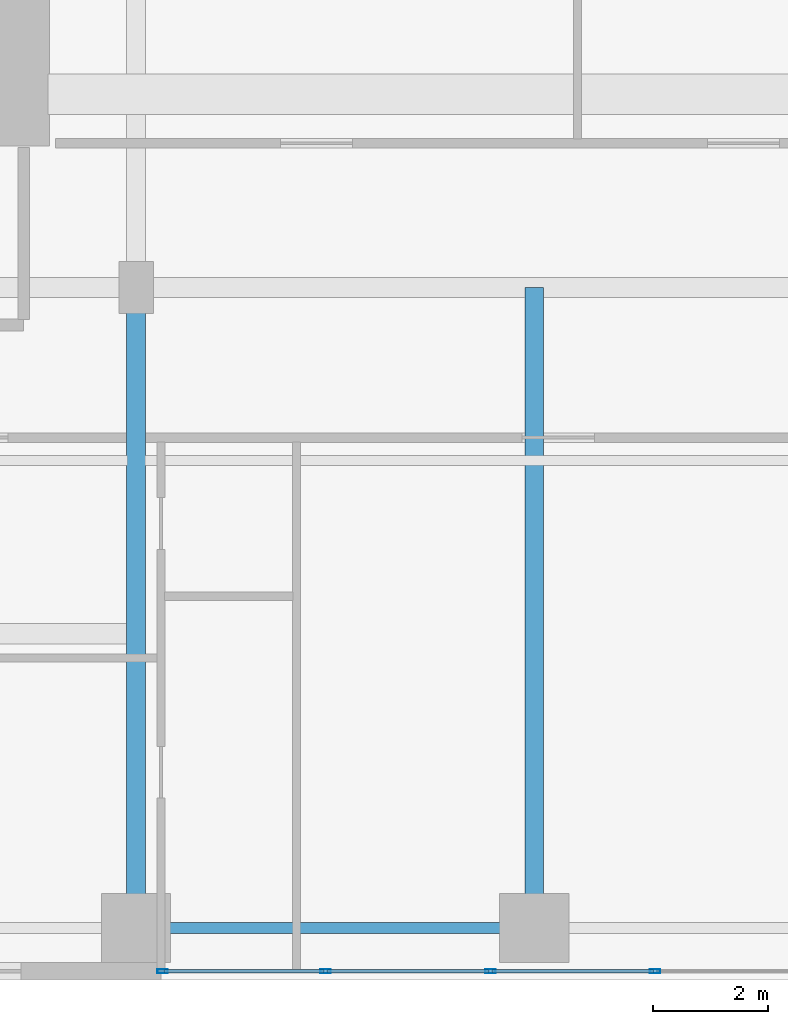
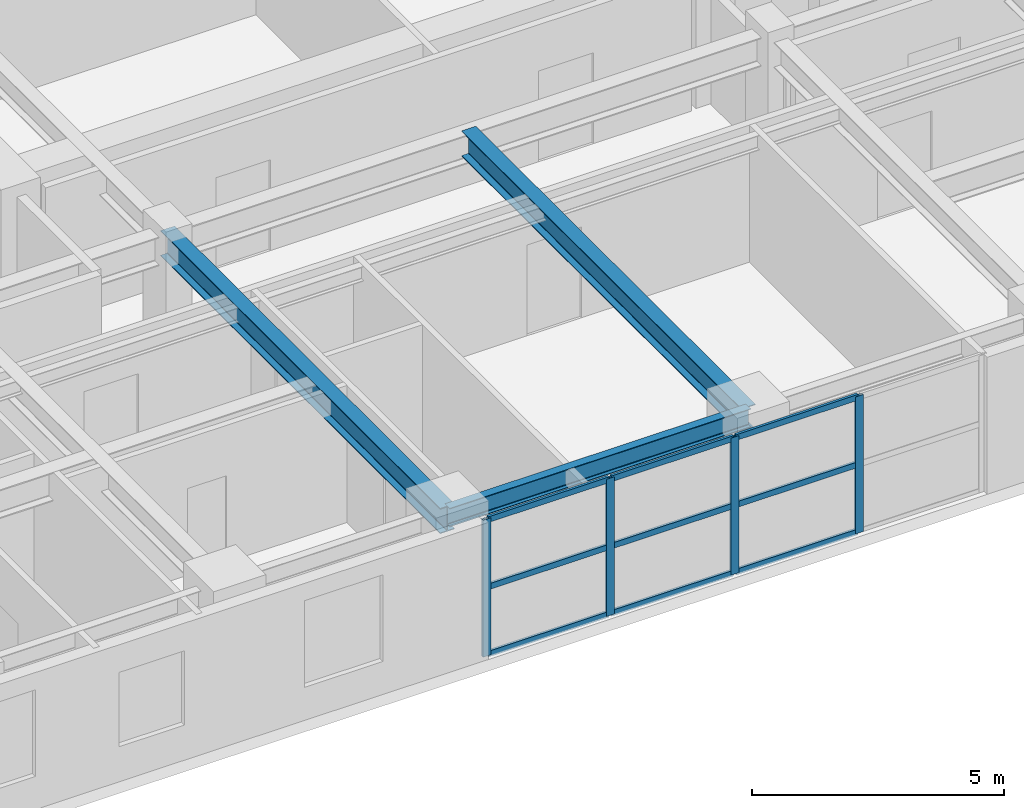
# One storey, part 2 of 24: 13 members, 3 beams, 1 element without a shape of its own.
"""IFC4 building model written with IfcOpenShell, lengths in metres."""

from ifc_helpers import new_model, si_unit, direction, frame, origin, origin_2d, place, context, subcontext, project, spatial, hollow_rectangle, i_section, extrude, source, transform, mapped, material, layer, layer_set, material_profile, profile_set, type_object, element, aggregate, save


model = new_model("IFC4")

# Units and contexts
model_context = context("Model", 3, precision=1e-05, world=origin(), true_north=direction((0.0, 1.0)))
body_context = subcontext(model_context, "Body", "Model", "MODEL_VIEW")
ifc_project = project(units=[si_unit("LENGTHUNIT", "METRE"), si_unit("AREAUNIT", "SQUARE_METRE"), si_unit("VOLUMEUNIT", "CUBIC_METRE"), si_unit("PLANEANGLEUNIT", "RADIAN"), si_unit("MASSUNIT", "GRAM", prefix="KILO")], contexts=[model_context])

# Site, building, storey
site_placement = place(None, origin())
site = spatial("IfcSite", under=ifc_project, at=site_placement, CompositionType="ELEMENT")
building_placement = place(site_placement, origin())
building = spatial("IfcBuilding", under=site, at=building_placement, Name="Khoralis Quay Care Tower", CompositionType="ELEMENT")
storey_placement = place(building_placement, frame((0.0, 0.0, 62.10009765625)))
storey = spatial("IfcBuildingStorey", under=building, at=storey_placement, Name="L16", CompositionType="ELEMENT", Elevation=62.10009765625)

# Beams
ifc_material_1 = material(Name="Steel S355", Category="steel")
ifc_material_profile_1 = material_profile(ifc_material_1, i_section(OverallWidth=0.18994140625, OverallDepth=0.449951171875, WebThickness=0.009521484375, FlangeThickness=0.0146484375, FilletRadius=0.02099609375, at=origin_2d()), Name="Steel S355")
ifc_profile_set_1 = profile_set([ifc_material_profile_1], Name="Steel S355")
beam_type_1 = type_object("IfcBeamType", Name="BM-IPE450", PredefinedType="SPANDREL", material=ifc_profile_set_1)
shared_shape_1 = source(origin(), body_context, "Body", "SweptSolid", [
    extrude(i_section(OverallWidth=0.18994140625, OverallDepth=0.449951171875, WebThickness=0.009521484375, FlangeThickness=0.0146484375, FilletRadius=0.02099609375, at=origin_2d()), origin(), (0.0, 0.0, 1.0), 6.89990234375),
])
beam_placement = place(storey_placement, frame((17.10009765625, 0.89990234375, 3.094970703125), z_axis=(1.0, 0.0, 0.0), x_axis=(0.0, 1.0, 0.0)))
element("IfcBeam", 1, at=beam_placement, inside=storey, type_object=beam_type_1, Name="BM-TSP-L16-03", PredefinedType="SPANDREL", context=body_context, shape_type="MappedRepresentation", body=[
    mapped(shared_shape_1, transform((0.0, 0.0, 0.0), scale=1.0)),
])
ifc_material_profile_2 = material_profile(ifc_material_1, i_section(OverallWidth=0.324951171875, OverallDepth=0.615966796875, WebThickness=0.013916015625, FlangeThickness=0.021484375, FilletRadius=0.01806640625, at=origin_2d()), Name="Steel S355")
ifc_profile_set_2 = profile_set([ifc_material_profile_2], Name="Steel S355")
beam_type_2 = type_object("IfcBeamType", Name="BM-W610X174", PredefinedType="BEAM", material=ifc_profile_set_2)
shared_shape_2 = source(origin(), body_context, "Body", "SweptSolid", [
    extrude(i_section(OverallWidth=0.324951171875, OverallDepth=0.615966796875, WebThickness=0.013916015625, FlangeThickness=0.021484375, FilletRadius=0.01806640625, at=origin_2d()), origin(), (0.0, 0.0, 1.0), 11.10009765625),
])
for number, where, z_axis, x_axis, name in (
    (2, (17.10009765625, 0.89990234375, 3.011962890625), (0.0, 1.0, 0.0), (-1.0, 0.0, 0.0), "BM-TGYS-L16-171"),
    (3, (24.0, 0.89990234375, 3.011962890625), (0.0, 1.0, 0.0), (-1.0, 0.0, 0.0), "BM-TGYS-L16-240"),
):
    element("IfcBeam", number, at=place(storey_placement, frame(where, z_axis=z_axis, x_axis=x_axis)), inside=storey, type_object=beam_type_2, Name=name, PredefinedType="BEAM", context=body_context, shape_type="MappedRepresentation", body=[
        mapped(shared_shape_2, transform((0.0, 0.0, 0.0), scale=1.0)),
    ])

# Curtain wall, members
ifc_material_2 = material(Name="Pale anodised aluminium", Category="aluminium")
ifc_layer = layer(ifc_material_2, 0.179931640625)
ifc_layer_set = layer_set([ifc_layer], Name="Pale anodised aluminium")
curtain_wall_type = type_object("IfcCurtainWallType", Name="CW-SYS-Z1", PredefinedType="NOTDEFINED", material=ifc_layer_set)
curtain_wall_placement = place(storey_placement, origin())
curtain_wall = element("IfcCurtainWall", 4, at=curtain_wall_placement, inside=storey, type_object=curtain_wall_type, Name="L16 Unitised Curtain Wall CW-L16-P1-E0", PredefinedType="NOTDEFINED")
ifc_material_profile_3 = material_profile(ifc_material_2, hollow_rectangle(XDim=0.06494140625, YDim=0.179931640625, WallThickness=0.00390625, at=origin_2d()), Name="Pale anodised aluminium")
ifc_profile_set_3 = profile_set([ifc_material_profile_3], Name="Pale anodised aluminium")
member_type_1 = type_object("IfcMemberType", Name="CW-MUL-180", PredefinedType="MULLION", material=ifc_profile_set_3)
shared_shape_3 = source(origin(), body_context, "Body", "SweptSolid", [
    extrude(hollow_rectangle(XDim=0.06494140625, YDim=0.179931640625, WallThickness=0.00390625, at=origin_2d()), origin(), (0.0, 0.0, 1.0), 3.31982421875),
])
member_1_placement = place(storey_placement, frame((17.56005859375, 0.14990234375, 0.0), z_axis=(0.0, 0.0, 1.0), x_axis=(0.0, 1.0, 0.0)))
member_1 = element("IfcMember", 5, at=member_1_placement, type_object=member_type_1, Name="CW1 mullion 1", PredefinedType="MULLION", context=body_context, shape_type="MappedRepresentation", body=[
    mapped(shared_shape_3, transform((0.0, 0.0, 0.0), scale=1.0)),
])
member_2_placement = place(storey_placement, frame((20.385009765625, 0.14990234375, 0.0), z_axis=(0.0, 0.0, 1.0), x_axis=(0.0, 1.0, 0.0)))
member_2 = element("IfcMember", 6, at=member_2_placement, type_object=member_type_1, Name="CW1 mullion 2", PredefinedType="MULLION", context=body_context, shape_type="MappedRepresentation", body=[
    mapped(shared_shape_3, transform((0.0, 0.0, 0.0), scale=1.0)),
])
member_3_placement = place(storey_placement, frame((23.239990234375, 0.14990234375, 0.0), z_axis=(0.0, 0.0, 1.0), x_axis=(0.0, 1.0, 0.0)))
member_3 = element("IfcMember", 7, at=member_3_placement, type_object=member_type_1, Name="CW1 mullion 3", PredefinedType="MULLION", context=body_context, shape_type="MappedRepresentation", body=[
    mapped(shared_shape_3, transform((0.0, 0.0, 0.0), scale=1.0)),
])
member_4_placement = place(storey_placement, frame((26.094970703125, 0.14990234375, 0.0), z_axis=(0.0, 0.0, 1.0), x_axis=(0.0, 1.0, 0.0)))
member_4 = element("IfcMember", 8, at=member_4_placement, type_object=member_type_1, Name="CW1 mullion 4", PredefinedType="MULLION", context=body_context, shape_type="MappedRepresentation", body=[
    mapped(shared_shape_3, transform((0.0, 0.0, 0.0), scale=1.0)),
])
ifc_material_profile_4 = material_profile(ifc_material_2, hollow_rectangle(XDim=0.06005859375, YDim=0.139892578125, WallThickness=0.00390625, at=origin_2d()), Name="Pale anodised aluminium")
ifc_profile_set_4 = profile_set([ifc_material_profile_4], Name="Pale anodised aluminium")
member_type_2 = type_object("IfcMemberType", Name="CW-TRN-140", PredefinedType="USERDEFINED", material=ifc_profile_set_4)
shared_shape_4 = source(origin(), body_context, "Body", "SweptSolid", [
    extrude(hollow_rectangle(XDim=0.06005859375, YDim=0.139892578125, WallThickness=0.00390625, at=origin_2d()), origin(), (0.0, 0.0, 1.0), 2.764892578125),
])
member_5_placement = place(storey_placement, frame((17.590087890625, 0.14990234375, 0.02978515625), z_axis=(1.0, 0.0, 0.0), x_axis=(0.0, 1.0, 0.0)))
member_5 = element("IfcMember", 9, at=member_5_placement, type_object=member_type_2, Name="CW1 transom 1.1", ObjectType="TRANSOM", PredefinedType="USERDEFINED", context=body_context, shape_type="MappedRepresentation", body=[
    mapped(shared_shape_4, transform((0.0, 0.0, 0.0), scale=1.0)),
])
member_6_placement = place(storey_placement, frame((17.590087890625, 0.14990234375, 1.659912109375), z_axis=(1.0, 0.0, 0.0), x_axis=(0.0, 1.0, 0.0)))
member_6 = element("IfcMember", 10, at=member_6_placement, type_object=member_type_2, Name="CW1 transom 1.2", ObjectType="TRANSOM", PredefinedType="USERDEFINED", context=body_context, shape_type="MappedRepresentation", body=[
    mapped(shared_shape_4, transform((0.0, 0.0, 0.0), scale=1.0)),
])
member_7_placement = place(storey_placement, frame((17.590087890625, 0.14990234375, 3.289794921875), z_axis=(1.0, 0.0, 0.0), x_axis=(0.0, 1.0, 0.0)))
member_7 = element("IfcMember", 11, at=member_7_placement, type_object=member_type_2, Name="CW1 transom 1.3", ObjectType="TRANSOM", PredefinedType="USERDEFINED", context=body_context, shape_type="MappedRepresentation", body=[
    mapped(shared_shape_4, transform((0.0, 0.0, 0.0), scale=1.0)),
])
shared_shape_5 = source(origin(), body_context, "Body", "SweptSolid", [
    extrude(hollow_rectangle(XDim=0.06005859375, YDim=0.139892578125, WallThickness=0.00390625, at=origin_2d()), origin(), (0.0, 0.0, 1.0), 2.794921875),
])
member_8_placement = place(storey_placement, frame((20.4150390625, 0.14990234375, 0.02978515625), z_axis=(1.0, 0.0, 0.0), x_axis=(0.0, 1.0, 0.0)))
member_8 = element("IfcMember", 12, at=member_8_placement, type_object=member_type_2, Name="CW1 transom 2.1", ObjectType="TRANSOM", PredefinedType="USERDEFINED", context=body_context, shape_type="MappedRepresentation", body=[
    mapped(shared_shape_5, transform((0.0, 0.0, 0.0), scale=1.0)),
])
member_9_placement = place(storey_placement, frame((20.4150390625, 0.14990234375, 1.659912109375), z_axis=(1.0, 0.0, 0.0), x_axis=(0.0, 1.0, 0.0)))
member_9 = element("IfcMember", 13, at=member_9_placement, type_object=member_type_2, Name="CW1 transom 2.2", ObjectType="TRANSOM", PredefinedType="USERDEFINED", context=body_context, shape_type="MappedRepresentation", body=[
    mapped(shared_shape_5, transform((0.0, 0.0, 0.0), scale=1.0)),
])
member_10_placement = place(storey_placement, frame((20.4150390625, 0.14990234375, 3.289794921875), z_axis=(1.0, 0.0, 0.0), x_axis=(0.0, 1.0, 0.0)))
member_10 = element("IfcMember", 14, at=member_10_placement, type_object=member_type_2, Name="CW1 transom 2.3", ObjectType="TRANSOM", PredefinedType="USERDEFINED", context=body_context, shape_type="MappedRepresentation", body=[
    mapped(shared_shape_5, transform((0.0, 0.0, 0.0), scale=1.0)),
])
member_11_placement = place(storey_placement, frame((23.27001953125, 0.14990234375, 0.02978515625), z_axis=(1.0, 0.0, 0.0), x_axis=(0.0, 1.0, 0.0)))
member_11 = element("IfcMember", 15, at=member_11_placement, type_object=member_type_2, Name="CW1 transom 3.1", ObjectType="TRANSOM", PredefinedType="USERDEFINED", context=body_context, shape_type="MappedRepresentation", body=[
    mapped(shared_shape_5, transform((0.0, 0.0, 0.0), scale=1.0)),
])
member_12_placement = place(storey_placement, frame((23.27001953125, 0.14990234375, 1.659912109375), z_axis=(1.0, 0.0, 0.0), x_axis=(0.0, 1.0, 0.0)))
member_12 = element("IfcMember", 16, at=member_12_placement, type_object=member_type_2, Name="CW1 transom 3.2", ObjectType="TRANSOM", PredefinedType="USERDEFINED", context=body_context, shape_type="MappedRepresentation", body=[
    mapped(shared_shape_5, transform((0.0, 0.0, 0.0), scale=1.0)),
])
member_13_placement = place(storey_placement, frame((23.27001953125, 0.14990234375, 3.289794921875), z_axis=(1.0, 0.0, 0.0), x_axis=(0.0, 1.0, 0.0)))
member_13 = element("IfcMember", 17, at=member_13_placement, type_object=member_type_2, Name="CW1 transom 3.3", ObjectType="TRANSOM", PredefinedType="USERDEFINED", context=body_context, shape_type="MappedRepresentation", body=[
    mapped(shared_shape_5, transform((0.0, 0.0, 0.0), scale=1.0)),
])
aggregate(curtain_wall, [member_1, member_2, member_3, member_4, member_5, member_6, member_7, member_8, member_9, member_10, member_11, member_12, member_13])

save(model, "model.ifc")
